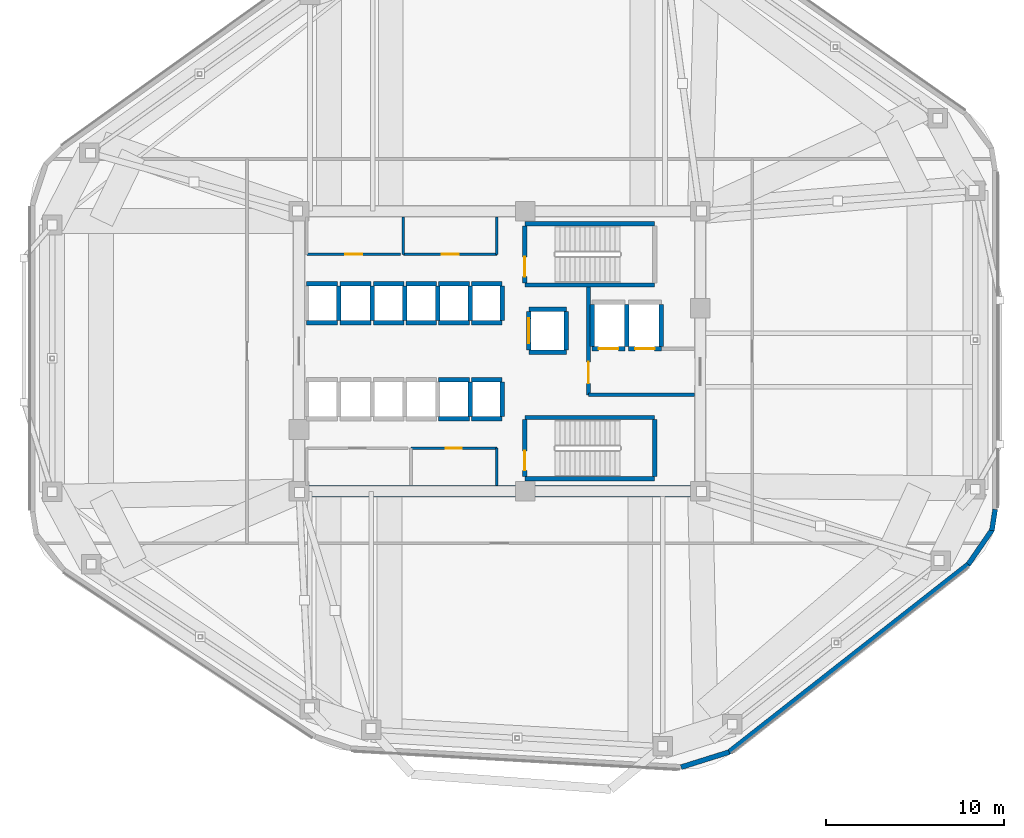
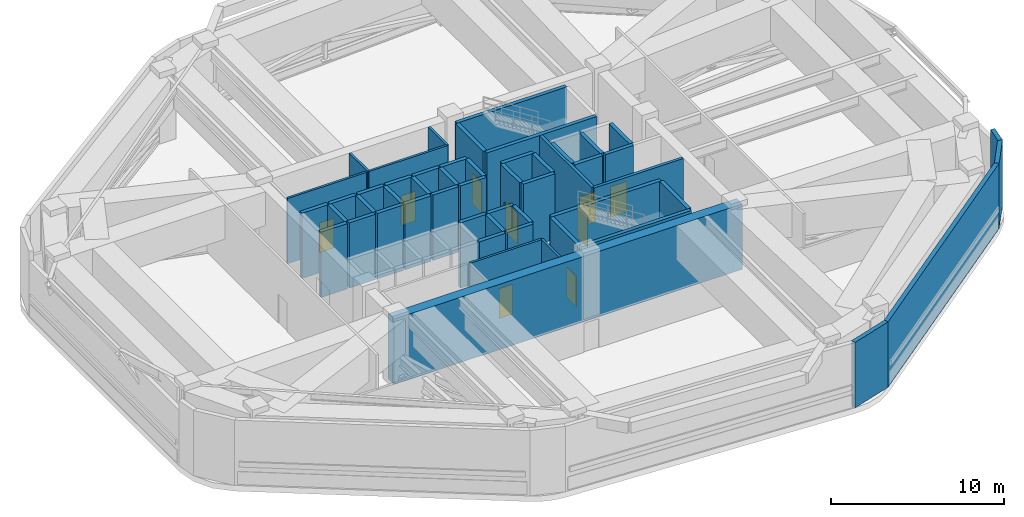
# One storey, part 8 of 12: 53 walls, 9 doors, 9 openings.
"""IFC4 building model written with IfcOpenShell, lengths in metres."""

from ifc_helpers import new_model, si_unit, direction, frame, frame_2d, origin, place, context, subcontext, project, spatial, rectangle, extrude, material, layer, layer_set, type_object, element, fill, save


model = new_model("IFC4")

# Units and contexts
model_context = context("Model", 3, precision=1e-05, world=origin(), true_north=direction((0.0, 1.0)))
body_context = subcontext(model_context, "Body", "Model", "MODEL_VIEW")
ifc_project = project(units=[si_unit("LENGTHUNIT", "METRE"), si_unit("AREAUNIT", "SQUARE_METRE"), si_unit("VOLUMEUNIT", "CUBIC_METRE"), si_unit("PLANEANGLEUNIT", "RADIAN"), si_unit("MASSUNIT", "GRAM", prefix="KILO")], contexts=[model_context])

# Site, building, storey
site_placement = place(None, origin())
site = spatial("IfcSite", under=ifc_project, at=site_placement, CompositionType="ELEMENT")
building_placement = place(site_placement, origin())
building = spatial("IfcBuilding", under=site, at=building_placement, Name="Zulverin Broadcast Headquarters", CompositionType="ELEMENT")
storey_placement = place(building_placement, frame((0.0, 0.0, 120.0)))
storey = spatial("IfcBuildingStorey", under=building, at=storey_placement, Name="L30", CompositionType="ELEMENT", Elevation=120.0)

# Walls
ifc_material_1 = material(Name="Concrete C60/75", Category="concrete")
ifc_layer_1 = layer(ifc_material_1, 0.64990234375, Name="Concrete C60/75", Category="concrete")
ifc_layer_set_1 = layer_set([ifc_layer_1], Name="Concrete C60/75")
wall_type_1 = type_object("IfcWallType", Name="WL-CORE-650", PredefinedType="SHEAR", material=ifc_layer_set_1)
wall_1_placement = place(storey_placement, frame((25.39990234375, 17.324951171875, 0.0), z_axis=(0.0, 0.0, 1.0), x_axis=(1.0, 0.0, 0.0)))
element("IfcWall", 1, at=wall_1_placement, inside=storey, type_object=wall_type_1, Name="L30 Core South Shear Wall", PredefinedType="SHEAR", context=body_context, shape_type="SweptSolid", body=[
    extrude(rectangle(XDim=23.2001953125, YDim=0.64990234375, at=frame_2d((11.60009765625, 0.0))), origin(), (0.0, 0.0, 1.0), 4.60009765625),
])
ifc_material_2 = material(Name="Insulated pale-metal clad concrete spandrel C40/50", Category="concrete")
ifc_layer_2 = layer(ifc_material_2, 0.280029296875, Name="Insulated pale-metal clad concrete spandrel C40/50", Category="concrete")
ifc_layer_set_2 = layer_set([ifc_layer_2], Name="Insulated pale-metal clad concrete spandrel C40/50")
wall_type_2 = type_object("IfcWallType", Name="WL-EXT-280", PredefinedType="STANDARD", material=ifc_layer_set_2)
wall_2_placement = place(storey_placement, frame((49.861083984375, 2.64208984375, 0.0), z_axis=(0.0, 0.0, 1.0), x_axis=(0.786701650025, 0.617333389546, 0.0)))
element("IfcWall", 2, at=wall_2_placement, inside=storey, type_object=wall_type_2, Name="L30 Pale-Metal Clad Spandrel Wall 2", PredefinedType="STANDARD", context=body_context, shape_type="SweptSolid", body=[
    extrude(rectangle(XDim=17.188232421875, YDim=0.280029296875, at=frame_2d((8.59423828125, 0.0))), origin(), (0.0, 0.0, 1.0), 4.60009765625),
])
wall_3_placement = place(storey_placement, frame((47.210693359375, 1.818603515625, 0.0), z_axis=(0.0, 0.0, 1.0), x_axis=(0.953995835848, 0.299819854553, 0.0)))
element("IfcWall", 3, at=wall_3_placement, inside=storey, type_object=wall_type_2, Name="L30 Wind-Shaped Corner Spandrel Wall 1-1", PredefinedType="STANDARD", context=body_context, shape_type="SweptSolid", body=[
    extrude(rectangle(XDim=2.82470703125, YDim=0.280029296875, at=frame_2d((1.412353515625, 0.0))), origin(), (0.0, 0.0, 1.0), 4.60009765625),
])
wall_4_placement = place(storey_placement, frame((63.35400390625, 13.222412109375, 0.0), z_axis=(0.0, 0.0, 1.0), x_axis=(0.567639386418, 0.82327730868, 0.0)))
element("IfcWall", 4, at=wall_4_placement, inside=storey, type_object=wall_type_2, Name="L30 Wind-Shaped Corner Spandrel Wall 2-1", PredefinedType="STANDARD", context=body_context, shape_type="SweptSolid", body=[
    extrude(rectangle(XDim=2.3779296875, YDim=0.280029296875, at=frame_2d((1.18896484375, 0.0))), origin(), (0.0, 0.0, 1.0), 4.60009765625),
])
wall_5_placement = place(storey_placement, frame((64.680908203125, 15.12158203125, 0.0), z_axis=(0.0, 0.0, 1.0), x_axis=(0.150226326126, 0.98865163275, 0.0)))
element("IfcWall", 5, at=wall_5_placement, inside=storey, type_object=wall_type_2, Name="L30 Wind-Shaped Corner Spandrel Wall 2-2", PredefinedType="STANDARD", context=body_context, shape_type="SweptSolid", body=[
    extrude(rectangle(XDim=1.20263671875, YDim=0.280029296875, at=frame_2d((0.601318359375, 0.0))), origin(), (0.0, 0.0, 1.0), 4.60009765625),
])

# Wall, opening, door
ifc_material_3 = material(Name="Concrete C40/50", Category="concrete")
ifc_layer_3 = layer(ifc_material_3, 0.199951171875, Name="Concrete C40/50", Category="concrete")
ifc_layer_set_3 = layer_set([ifc_layer_3], Name="Concrete C40/50")
wall_type_3 = type_object("IfcWallType", Name="WL-FFL-200", PredefinedType="SOLIDWALL", material=ifc_layer_set_3)
wall_6_placement = place(storey_placement, frame((42.0, 22.75, 0.0), z_axis=(0.0, 0.0, 1.0), x_axis=(0.0, 1.0, 0.0)))
wall_6 = element("IfcWall", 6, at=wall_6_placement, inside=storey, type_object=wall_type_3, Name="L30 Firefighting Lift Lobby West Wall", PredefinedType="SOLIDWALL", context=body_context, shape_type="SweptSolid", body=[
    extrude(rectangle(XDim=6.050048828125, YDim=0.199951171875, at=frame_2d((3.02490234375, 0.0))), origin(), (0.0, 0.0, 1.0), 4.60009765625),
])
opening_1_placement = place(wall_6_placement, frame((0.64990234375, 0.0, 0.0)))
opening_1 = element("IfcOpeningElement", 7, at=opening_1_placement, cuts=wall_6, Name="Opening D-L30-FFLW", PredefinedType="OPENING", context=body_context, shape_type="SweptSolid", body=[
    extrude(rectangle(XDim=1.199951171875, YDim=2.14990234375, at=frame_2d((0.60009765625, 1.074951171875))), frame((0.0, 0.10986328125, 0.0), z_axis=(0.0, -1.0, 0.0), x_axis=(1.0, 0.0, 0.0)), (0.0, 0.0, 1.0), 0.219970703125),
])
ifc_material_4 = material(Name="Fire-rated steel leaf and frame", Category="steel")
door_type_1 = type_object("IfcDoorType", Name="DR-FFL-1200", OperationType="SINGLE_SWING_RIGHT", PredefinedType="DOOR", material=ifc_material_4)
door_1_placement = place(opening_1_placement, origin())
door_1 = element("IfcDoor", 8, at=door_1_placement, inside=storey, type_object=door_type_1, Name="L30 Firefighting Lift Lobby Door", OperationType="SINGLE_SWING_RIGHT", OverallHeight=2.14990234375, OverallWidth=1.199951171875, PredefinedType="DOOR", context=body_context, shape_type="SweptSolid", body=[
    extrude(rectangle(XDim=1.199951171875, YDim=2.14990234375, at=frame_2d((0.60009765625, 1.074951171875))), frame((0.0, 0.02490234375, 0.0), z_axis=(0.0, -1.0, 0.0), x_axis=(1.0, 0.0, 0.0)), (0.0, 0.0, 1.0), 0.050048828125),
])
fill(opening_1, door_1)

# Wall
wall_7_placement = place(storey_placement, frame((42.0, 22.75, 0.0), z_axis=(0.0, 0.0, 1.0), x_axis=(1.0, 0.0, 0.0)))
element("IfcWall", 9, at=wall_7_placement, inside=storey, type_object=wall_type_3, Name="L30 Firefighting Lift Lobby South Wall", PredefinedType="SOLIDWALL", context=body_context, shape_type="SweptSolid", body=[
    extrude(rectangle(XDim=5.949951171875, YDim=0.199951171875, at=frame_2d((2.97509765625, 0.0))), origin(), (0.0, 0.0, 1.0), 4.60009765625),
])

# Wall, opening, door
ifc_material_5 = material(Name="Fire-rated gypsum stud partition", Category="gypsum")
ifc_layer_4 = layer(ifc_material_5, 0.14990234375, Name="Fire-rated gypsum stud partition", Category="gypsum")
ifc_layer_set_4 = layer_set([ifc_layer_4], Name="Fire-rated gypsum stud partition")
wall_type_4 = type_object("IfcWallType", Name="WL-PART-150", PredefinedType="PARTITIONING", material=ifc_layer_set_4)
wall_8_placement = place(storey_placement, frame((26.169921875, 30.64990234375, 0.0), z_axis=(0.0, 0.0, 1.0), x_axis=(1.0, 0.0, 0.0)))
wall_8 = element("IfcWall", 10, at=wall_8_placement, inside=storey, type_object=wall_type_4, Name="L30 Core Male WC Front Wall", PredefinedType="PARTITIONING", context=body_context, shape_type="SweptSolid", body=[
    extrude(rectangle(XDim=5.260009765625, YDim=0.14990234375, at=frame_2d((2.6298828125, 0.0))), origin(), (0.0, 0.0, 1.0), 4.60009765625),
])
opening_2_placement = place(wall_8_placement, frame((2.155029296875, 0.0, 0.0)))
opening_2 = element("IfcOpeningElement", 11, at=opening_2_placement, cuts=wall_8, Name="Opening D-L30-NC1", PredefinedType="OPENING", context=body_context, shape_type="SweptSolid", body=[
    extrude(rectangle(XDim=0.949951171875, YDim=2.10009765625, at=frame_2d((0.47509765625, 1.050048828125))), frame((0.0, 0.0849609375, 0.0), z_axis=(0.0, -1.0, 0.0), x_axis=(1.0, 0.0, 0.0)), (0.0, 0.0, 1.0), 0.169921875),
])
ifc_material_6 = material(Name="Fire-rated moisture-resistant laminate leaf", Category="wood")
door_type_2 = type_object("IfcDoorType", Name="DR-WC-950", OperationType="SINGLE_SWING_LEFT", PredefinedType="DOOR", material=ifc_material_6)
door_2_placement = place(opening_2_placement, origin())
door_2 = element("IfcDoor", 12, at=door_2_placement, inside=storey, type_object=door_type_2, Name="L30 Male WC Door", OperationType="SINGLE_SWING_LEFT", OverallHeight=2.10009765625, OverallWidth=0.949951171875, PredefinedType="DOOR", context=body_context, shape_type="SweptSolid", body=[
    extrude(rectangle(XDim=0.949951171875, YDim=2.10009765625, at=frame_2d((0.47509765625, 1.050048828125))), frame((0.0, 0.02490234375, 0.0), z_axis=(0.0, -1.0, 0.0), x_axis=(1.0, 0.0, 0.0)), (0.0, 0.0, 1.0), 0.050048828125),
])
fill(opening_2, door_2)

wall_9_placement = place(storey_placement, frame((31.590087890625, 30.64990234375, 0.0), z_axis=(0.0, 0.0, 1.0), x_axis=(1.0, 0.0, 0.0)))
wall_9 = element("IfcWall", 13, at=wall_9_placement, inside=storey, type_object=wall_type_4, Name="L30 Core Accessible WC Front Wall", PredefinedType="PARTITIONING", context=body_context, shape_type="SweptSolid", body=[
    extrude(rectangle(XDim=5.260009765625, YDim=0.14990234375, at=frame_2d((2.6298828125, 0.0))), origin(), (0.0, 0.0, 1.0), 4.60009765625),
])
opening_3_placement = place(wall_9_placement, frame((2.155029296875, 0.0, 0.0)))
opening_3 = element("IfcOpeningElement", 14, at=opening_3_placement, cuts=wall_9, Name="Opening D-L30-NC2", PredefinedType="OPENING", context=body_context, shape_type="SweptSolid", body=[
    extrude(rectangle(XDim=0.949951171875, YDim=2.10009765625, at=frame_2d((0.47509765625, 1.050048828125))), frame((0.0, 0.0849609375, 0.0), z_axis=(0.0, -1.0, 0.0), x_axis=(1.0, 0.0, 0.0)), (0.0, 0.0, 1.0), 0.169921875),
])
door_3_placement = place(opening_3_placement, origin())
door_3 = element("IfcDoor", 15, at=door_3_placement, inside=storey, type_object=door_type_2, Name="L30 Accessible WC Door", OperationType="SINGLE_SWING_RIGHT", OverallHeight=2.10009765625, OverallWidth=0.949951171875, PredefinedType="DOOR", context=body_context, shape_type="SweptSolid", body=[
    extrude(rectangle(XDim=0.949951171875, YDim=2.10009765625, at=frame_2d((0.47509765625, 1.050048828125))), frame((0.0, 0.02490234375, 0.0), z_axis=(0.0, -1.0, 0.0), x_axis=(1.0, 0.0, 0.0)), (0.0, 0.0, 1.0), 0.050048828125),
])
fill(opening_3, door_3)

# Walls
for number, where, z_axis, x_axis, name in (
    (16, (31.590087890625, 30.64990234375, 0.0), (0.0, 0.0, 1.0), (0.0, 1.0, 0.0), "L30 Core Accessible WC West Wall"),
    (17, (36.85009765625, 30.64990234375, 0.0), (0.0, 0.0, 1.0), (0.0, 1.0, 0.0), "L30 Core Accessible WC East Wall"),
):
    element("IfcWall", number, at=place(storey_placement, frame(where, z_axis=z_axis, x_axis=x_axis)), inside=storey, type_object=wall_type_4, Name=name, PredefinedType="PARTITIONING", context=body_context, shape_type="SweptSolid", body=[
        extrude(rectangle(XDim=2.10009765625, YDim=0.14990234375, at=frame_2d((1.050048828125, 0.0))), origin(), (0.0, 0.0, 1.0), 4.60009765625),
    ])

# Wall, opening, door
wall_10_placement = place(storey_placement, frame((32.02001953125, 19.75, 0.0), z_axis=(0.0, 0.0, 1.0), x_axis=(1.0, 0.0, 0.0)))
wall_10 = element("IfcWall", 18, at=wall_10_placement, inside=storey, type_object=wall_type_4, Name="L30 Core Cleaner Store & Telecoms Riser Front Wall", PredefinedType="PARTITIONING", context=body_context, shape_type="SweptSolid", body=[
    extrude(rectangle(XDim=4.830078125, YDim=0.14990234375, at=frame_2d((2.4150390625, 0.0))), origin(), (0.0, 0.0, 1.0), 4.60009765625),
])
opening_4_placement = place(wall_10_placement, frame((1.965087890625, 0.0, 0.0)))
opening_4 = element("IfcOpeningElement", 19, at=opening_4_placement, cuts=wall_10, Name="Opening D-L30-SC2", PredefinedType="OPENING", context=body_context, shape_type="SweptSolid", body=[
    extrude(rectangle(XDim=0.89990234375, YDim=2.10009765625, at=frame_2d((0.449951171875, 1.050048828125))), frame((0.0, 0.0849609375, 0.0), z_axis=(0.0, -1.0, 0.0), x_axis=(1.0, 0.0, 0.0)), (0.0, 0.0, 1.0), 0.169921875),
])
ifc_material_7 = material(Name="Powder-coated steel access leaf", Category="steel")
door_type_3 = type_object("IfcDoorType", Name="DR-RISER-900", OperationType="SINGLE_SWING_LEFT", PredefinedType="DOOR", material=ifc_material_7)
door_4_placement = place(opening_4_placement, origin())
door_4 = element("IfcDoor", 20, at=door_4_placement, inside=storey, type_object=door_type_3, Name="L30 Cleaner Store & Telecoms Riser Door", OperationType="SINGLE_SWING_RIGHT", OverallHeight=2.10009765625, OverallWidth=0.89990234375, PredefinedType="DOOR", context=body_context, shape_type="SweptSolid", body=[
    extrude(rectangle(XDim=0.89990234375, YDim=2.10009765625, at=frame_2d((0.449951171875, 1.050048828125))), frame((0.0, 0.02490234375, 0.0), z_axis=(0.0, -1.0, 0.0), x_axis=(1.0, 0.0, 0.0)), (0.0, 0.0, 1.0), 0.050048828125),
])
fill(opening_4, door_4)

# Walls
wall_11_placement = place(storey_placement, frame((36.85009765625, 17.64990234375, 0.0), z_axis=(0.0, 0.0, 1.0), x_axis=(0.0, 1.0, 0.0)))
element("IfcWall", 21, at=wall_11_placement, inside=storey, type_object=wall_type_4, Name="L30 Core Cleaner Store & Telecoms Riser East Wall", PredefinedType="PARTITIONING", context=body_context, shape_type="SweptSolid", body=[
    extrude(rectangle(XDim=2.10009765625, YDim=0.14990234375, at=frame_2d((1.050048828125, 0.0))), origin(), (0.0, 0.0, 1.0), 4.60009765625),
])
ifc_material_8 = material(Name="Concrete C50/60", Category="concrete")
ifc_layer_5 = layer(ifc_material_8, 0.25, Name="Concrete C50/60", Category="concrete")
ifc_layer_set_5 = layer_set([ifc_layer_5], Name="Concrete C50/60")
wall_type_5 = type_object("IfcWallType", Name="WL-SHAFT-250", PredefinedType="SHEAR", material=ifc_layer_set_5)
for number, where, z_axis, x_axis, name in (
    (22, (38.425048828125, 28.925048828125, 0.0), (0.0, 0.0, 1.0), (1.0, 0.0, 0.0), "L30 ST-1 Enclosure Wall S"),
    (23, (38.425048828125, 32.375, 0.0), (0.0, 0.0, 1.0), (1.0, 0.0, 0.0), "L30 ST-1 Enclosure Wall N"),
):
    element("IfcWall", number, at=place(storey_placement, frame(where, z_axis=z_axis, x_axis=x_axis)), inside=storey, type_object=wall_type_5, Name=name, PredefinedType="SHEAR", context=body_context, shape_type="SweptSolid", body=[
        extrude(rectangle(XDim=7.300048828125, YDim=0.25, at=frame_2d((3.64990234375, 0.0))), origin(), (0.0, 0.0, 1.0), 4.60009765625),
    ])

# Wall, opening, door
wall_12_placement = place(storey_placement, frame((38.425048828125, 29.050048828125, 0.0), z_axis=(0.0, 0.0, 1.0), x_axis=(0.0, 1.0, 0.0)))
wall_12 = element("IfcWall", 24, at=wall_12_placement, inside=storey, type_object=wall_type_5, Name="L30 ST-1 Enclosure Wall W", PredefinedType="SHEAR", context=body_context, shape_type="SweptSolid", body=[
    extrude(rectangle(XDim=3.199951171875, YDim=0.25, at=frame_2d((1.60009765625, 0.0))), origin(), (0.0, 0.0, 1.0), 4.60009765625),
])
opening_5_placement = place(wall_12_placement, frame((0.35009765625, 0.0, 0.0)))
opening_5 = element("IfcOpeningElement", 25, at=opening_5_placement, cuts=wall_12, Name="Opening D-L30-ST-1", PredefinedType="OPENING", context=body_context, shape_type="SweptSolid", body=[
    extrude(rectangle(XDim=1.10009765625, YDim=2.14990234375, at=frame_2d((0.550048828125, 1.074951171875))), frame((0.0, 0.135009765625, 0.0), z_axis=(0.0, -1.0, 0.0), x_axis=(1.0, 0.0, 0.0)), (0.0, 0.0, 1.0), 0.27001953125),
])
door_type_4 = type_object("IfcDoorType", Name="DR-STAIR-1100", OperationType="SINGLE_SWING_LEFT", PredefinedType="DOOR", material=ifc_material_4)
door_5_placement = place(opening_5_placement, origin())
door_5 = element("IfcDoor", 26, at=door_5_placement, inside=storey, type_object=door_type_4, Name="L30 Exit Stair ST-1 Fire Door", OperationType="SINGLE_SWING_LEFT", OverallHeight=2.14990234375, OverallWidth=1.10009765625, PredefinedType="DOOR", context=body_context, shape_type="SweptSolid", body=[
    extrude(rectangle(XDim=1.10009765625, YDim=2.14990234375, at=frame_2d((0.550048828125, 1.074951171875))), frame((0.0, 0.02490234375, 0.0), z_axis=(0.0, -1.0, 0.0), x_axis=(1.0, 0.0, 0.0)), (0.0, 0.0, 1.0), 0.050048828125),
])
fill(opening_5, door_5)

# Walls
for number, where, z_axis, x_axis, name in (
    (27, (38.425048828125, 18.02490234375, 0.0), (0.0, 0.0, 1.0), (1.0, 0.0, 0.0), "L30 ST-2 Enclosure Wall S"),
    (28, (38.425048828125, 21.47509765625, 0.0), (0.0, 0.0, 1.0), (1.0, 0.0, 0.0), "L30 ST-2 Enclosure Wall N"),
):
    element("IfcWall", number, at=place(storey_placement, frame(where, z_axis=z_axis, x_axis=x_axis)), inside=storey, type_object=wall_type_5, Name=name, PredefinedType="SHEAR", context=body_context, shape_type="SweptSolid", body=[
        extrude(rectangle(XDim=7.300048828125, YDim=0.25, at=frame_2d((3.64990234375, 0.0))), origin(), (0.0, 0.0, 1.0), 4.60009765625),
    ])

# Wall, opening, door
wall_13_placement = place(storey_placement, frame((38.425048828125, 18.14990234375, 0.0), z_axis=(0.0, 0.0, 1.0), x_axis=(0.0, 1.0, 0.0)))
wall_13 = element("IfcWall", 29, at=wall_13_placement, inside=storey, type_object=wall_type_5, Name="L30 ST-2 Enclosure Wall W", PredefinedType="SHEAR", context=body_context, shape_type="SweptSolid", body=[
    extrude(rectangle(XDim=3.2001953125, YDim=0.25, at=frame_2d((1.60009765625, 0.0))), origin(), (0.0, 0.0, 1.0), 4.60009765625),
])
opening_6_placement = place(wall_13_placement, frame((0.35009765625, 0.0, 0.0)))
opening_6 = element("IfcOpeningElement", 30, at=opening_6_placement, cuts=wall_13, Name="Opening D-L30-ST-2", PredefinedType="OPENING", context=body_context, shape_type="SweptSolid", body=[
    extrude(rectangle(XDim=1.10009765625, YDim=2.14990234375, at=frame_2d((0.550048828125, 1.074951171875))), frame((0.0, 0.135009765625, 0.0), z_axis=(0.0, -1.0, 0.0), x_axis=(1.0, 0.0, 0.0)), (0.0, 0.0, 1.0), 0.27001953125),
])
door_6_placement = place(opening_6_placement, origin())
door_6 = element("IfcDoor", 31, at=door_6_placement, inside=storey, type_object=door_type_4, Name="L30 Exit Stair ST-2 Fire Door", OperationType="SINGLE_SWING_RIGHT", OverallHeight=2.14990234375, OverallWidth=1.10009765625, PredefinedType="DOOR", context=body_context, shape_type="SweptSolid", body=[
    extrude(rectangle(XDim=1.10009765625, YDim=2.14990234375, at=frame_2d((0.550048828125, 1.074951171875))), frame((0.0, 0.02490234375, 0.0), z_axis=(0.0, -1.0, 0.0), x_axis=(1.0, 0.0, 0.0)), (0.0, 0.0, 1.0), 0.050048828125),
])
fill(opening_6, door_6)

# Walls
wall_14_placement = place(storey_placement, frame((45.72509765625, 18.14990234375, 0.0), z_axis=(0.0, 0.0, 1.0), x_axis=(0.0, 1.0, 0.0)))
element("IfcWall", 32, at=wall_14_placement, inside=storey, type_object=wall_type_5, Name="L30 ST-2 Enclosure Wall E", PredefinedType="SHEAR", context=body_context, shape_type="SweptSolid", body=[
    extrude(rectangle(XDim=3.2001953125, YDim=0.25, at=frame_2d((1.60009765625, 0.0))), origin(), (0.0, 0.0, 1.0), 4.60009765625),
])
for number, where, z_axis, x_axis, name in (
    (33, (26.14990234375, 26.800048828125, 0.0), (0.0, 0.0, 1.0), (1.0, 0.0, 0.0), "L30 Lift PL-L1 Shaft Wall S"),
    (34, (26.14990234375, 29.0, 0.0), (0.0, 0.0, 1.0), (1.0, 0.0, 0.0), "L30 Lift PL-L1 Shaft Wall N"),
):
    element("IfcWall", number, at=place(storey_placement, frame(where, z_axis=z_axis, x_axis=x_axis)), inside=storey, type_object=wall_type_5, Name=name, PredefinedType="SHEAR", context=body_context, shape_type="SweptSolid", body=[
        extrude(rectangle(XDim=1.75, YDim=0.25, at=frame_2d((0.875, 0.0))), origin(), (0.0, 0.0, 1.0), 4.60009765625),
    ])
wall_15_placement = place(storey_placement, frame((27.9599609375, 26.919921875, 0.0), z_axis=(0.0, 0.0, 1.0), x_axis=(0.0, 1.0, 0.0)))
element("IfcWall", 35, at=wall_15_placement, inside=storey, type_object=wall_type_5, Name="L30 Lift PL-L1 Shaft Wall E", PredefinedType="SHEAR", context=body_context, shape_type="SweptSolid", body=[
    extrude(rectangle(XDim=1.9599609375, YDim=0.25, at=frame_2d((0.97998046875, 0.0))), origin(), (0.0, 0.0, 1.0), 4.60009765625),
])
for number, where, z_axis, x_axis, name in (
    (36, (28.02001953125, 26.800048828125, 0.0), (0.0, 0.0, 1.0), (1.0, 0.0, 0.0), "L30 Lift PL-L2 Shaft Wall S"),
    (37, (28.02001953125, 29.0, 0.0), (0.0, 0.0, 1.0), (1.0, 0.0, 0.0), "L30 Lift PL-L2 Shaft Wall N"),
):
    element("IfcWall", number, at=place(storey_placement, frame(where, z_axis=z_axis, x_axis=x_axis)), inside=storey, type_object=wall_type_5, Name=name, PredefinedType="SHEAR", context=body_context, shape_type="SweptSolid", body=[
        extrude(rectangle(XDim=1.75, YDim=0.25, at=frame_2d((0.875, 0.0))), origin(), (0.0, 0.0, 1.0), 4.60009765625),
    ])
wall_16_placement = place(storey_placement, frame((29.8349609375, 26.919921875, 0.0), z_axis=(0.0, 0.0, 1.0), x_axis=(0.0, 1.0, 0.0)))
element("IfcWall", 38, at=wall_16_placement, inside=storey, type_object=wall_type_5, Name="L30 Lift PL-L2 Shaft Wall E", PredefinedType="SHEAR", context=body_context, shape_type="SweptSolid", body=[
    extrude(rectangle(XDim=1.9599609375, YDim=0.25, at=frame_2d((0.97998046875, 0.0))), origin(), (0.0, 0.0, 1.0), 4.60009765625),
])
for number, where, z_axis, x_axis, name in (
    (39, (33.580078125, 21.39990234375, 0.0), (0.0, 0.0, 1.0), (1.0, 0.0, 0.0), "L30 Lift PL-M3 Shaft Wall S"),
    (40, (33.580078125, 23.60009765625, 0.0), (0.0, 0.0, 1.0), (1.0, 0.0, 0.0), "L30 Lift PL-M3 Shaft Wall N"),
):
    element("IfcWall", number, at=place(storey_placement, frame(where, z_axis=z_axis, x_axis=x_axis)), inside=storey, type_object=wall_type_5, Name=name, PredefinedType="SHEAR", context=body_context, shape_type="SweptSolid", body=[
        extrude(rectangle(XDim=1.719970703125, YDim=0.25, at=frame_2d((0.85986328125, 0.0))), origin(), (0.0, 0.0, 1.0), 4.60009765625),
    ])
wall_17_placement = place(storey_placement, frame((35.360107421875, 21.52001953125, 0.0), z_axis=(0.0, 0.0, 1.0), x_axis=(0.0, 1.0, 0.0)))
element("IfcWall", 41, at=wall_17_placement, inside=storey, type_object=wall_type_5, Name="L30 Lift PL-M3 Shaft Wall E", PredefinedType="SHEAR", context=body_context, shape_type="SweptSolid", body=[
    extrude(rectangle(XDim=1.9599609375, YDim=0.25, at=frame_2d((0.97998046875, 0.0))), origin(), (0.0, 0.0, 1.0), 4.60009765625),
])
for number, where, z_axis, x_axis, name in (
    (42, (35.419921875, 21.39990234375, 0.0), (0.0, 0.0, 1.0), (1.0, 0.0, 0.0), "L30 Lift PL-M4 Shaft Wall S"),
    (43, (35.419921875, 23.60009765625, 0.0), (0.0, 0.0, 1.0), (1.0, 0.0, 0.0), "L30 Lift PL-M4 Shaft Wall N"),
):
    element("IfcWall", number, at=place(storey_placement, frame(where, z_axis=z_axis, x_axis=x_axis)), inside=storey, type_object=wall_type_5, Name=name, PredefinedType="SHEAR", context=body_context, shape_type="SweptSolid", body=[
        extrude(rectangle(XDim=1.719970703125, YDim=0.25, at=frame_2d((0.85986328125, 0.0))), origin(), (0.0, 0.0, 1.0), 4.60009765625),
    ])
wall_18_placement = place(storey_placement, frame((37.139892578125, 21.52001953125, 0.0), z_axis=(0.0, 0.0, 1.0), x_axis=(0.0, 1.0, 0.0)))
element("IfcWall", 44, at=wall_18_placement, inside=storey, type_object=wall_type_5, Name="L30 Lift PL-M4 Shaft Wall E", PredefinedType="SHEAR", context=body_context, shape_type="SweptSolid", body=[
    extrude(rectangle(XDim=1.9599609375, YDim=0.25, at=frame_2d((0.97998046875, 0.0))), origin(), (0.0, 0.0, 1.0), 4.60009765625),
])
for number, where, z_axis, x_axis, name in (
    (45, (29.89990234375, 26.800048828125, 0.0), (0.0, 0.0, 1.0), (1.0, 0.0, 0.0), "L30 Lift PL-H1 Shaft Wall S"),
    (46, (29.89990234375, 29.0, 0.0), (0.0, 0.0, 1.0), (1.0, 0.0, 0.0), "L30 Lift PL-H1 Shaft Wall N"),
):
    element("IfcWall", number, at=place(storey_placement, frame(where, z_axis=z_axis, x_axis=x_axis)), inside=storey, type_object=wall_type_5, Name=name, PredefinedType="SHEAR", context=body_context, shape_type="SweptSolid", body=[
        extrude(rectangle(XDim=1.72021484375, YDim=0.25, at=frame_2d((0.860107421875, 0.0))), origin(), (0.0, 0.0, 1.0), 4.60009765625),
    ])
wall_19_placement = place(storey_placement, frame((31.679931640625, 26.919921875, 0.0), z_axis=(0.0, 0.0, 1.0), x_axis=(0.0, 1.0, 0.0)))
element("IfcWall", 47, at=wall_19_placement, inside=storey, type_object=wall_type_5, Name="L30 Lift PL-H1 Shaft Wall E", PredefinedType="SHEAR", context=body_context, shape_type="SweptSolid", body=[
    extrude(rectangle(XDim=1.9599609375, YDim=0.25, at=frame_2d((0.97998046875, 0.0))), origin(), (0.0, 0.0, 1.0), 4.60009765625),
])
for number, where, z_axis, x_axis, name in (
    (48, (31.739990234375, 26.800048828125, 0.0), (0.0, 0.0, 1.0), (1.0, 0.0, 0.0), "L30 Lift PL-H2 Shaft Wall S"),
    (49, (31.739990234375, 29.0, 0.0), (0.0, 0.0, 1.0), (1.0, 0.0, 0.0), "L30 Lift PL-H2 Shaft Wall N"),
):
    element("IfcWall", number, at=place(storey_placement, frame(where, z_axis=z_axis, x_axis=x_axis)), inside=storey, type_object=wall_type_5, Name=name, PredefinedType="SHEAR", context=body_context, shape_type="SweptSolid", body=[
        extrude(rectangle(XDim=1.719970703125, YDim=0.25, at=frame_2d((0.85986328125, 0.0))), origin(), (0.0, 0.0, 1.0), 4.60009765625),
    ])
wall_20_placement = place(storey_placement, frame((33.52001953125, 26.919921875, 0.0), z_axis=(0.0, 0.0, 1.0), x_axis=(0.0, 1.0, 0.0)))
element("IfcWall", 50, at=wall_20_placement, inside=storey, type_object=wall_type_5, Name="L30 Lift PL-H2 Shaft Wall E", PredefinedType="SHEAR", context=body_context, shape_type="SweptSolid", body=[
    extrude(rectangle(XDim=1.9599609375, YDim=0.25, at=frame_2d((0.97998046875, 0.0))), origin(), (0.0, 0.0, 1.0), 4.60009765625),
])
for number, where, z_axis, x_axis, name in (
    (51, (33.580078125, 26.800048828125, 0.0), (0.0, 0.0, 1.0), (1.0, 0.0, 0.0), "L30 Lift PL-H3 Shaft Wall S"),
    (52, (33.580078125, 29.0, 0.0), (0.0, 0.0, 1.0), (1.0, 0.0, 0.0), "L30 Lift PL-H3 Shaft Wall N"),
):
    element("IfcWall", number, at=place(storey_placement, frame(where, z_axis=z_axis, x_axis=x_axis)), inside=storey, type_object=wall_type_5, Name=name, PredefinedType="SHEAR", context=body_context, shape_type="SweptSolid", body=[
        extrude(rectangle(XDim=1.719970703125, YDim=0.25, at=frame_2d((0.85986328125, 0.0))), origin(), (0.0, 0.0, 1.0), 4.60009765625),
    ])
wall_21_placement = place(storey_placement, frame((35.360107421875, 26.919921875, 0.0), z_axis=(0.0, 0.0, 1.0), x_axis=(0.0, 1.0, 0.0)))
element("IfcWall", 53, at=wall_21_placement, inside=storey, type_object=wall_type_5, Name="L30 Lift PL-H3 Shaft Wall E", PredefinedType="SHEAR", context=body_context, shape_type="SweptSolid", body=[
    extrude(rectangle(XDim=1.9599609375, YDim=0.25, at=frame_2d((0.97998046875, 0.0))), origin(), (0.0, 0.0, 1.0), 4.60009765625),
])
for number, where, z_axis, x_axis, name in (
    (54, (35.419921875, 26.800048828125, 0.0), (0.0, 0.0, 1.0), (1.0, 0.0, 0.0), "L30 Lift PL-H4 Shaft Wall S"),
    (55, (35.419921875, 29.0, 0.0), (0.0, 0.0, 1.0), (1.0, 0.0, 0.0), "L30 Lift PL-H4 Shaft Wall N"),
):
    element("IfcWall", number, at=place(storey_placement, frame(where, z_axis=z_axis, x_axis=x_axis)), inside=storey, type_object=wall_type_5, Name=name, PredefinedType="SHEAR", context=body_context, shape_type="SweptSolid", body=[
        extrude(rectangle(XDim=1.719970703125, YDim=0.25, at=frame_2d((0.85986328125, 0.0))), origin(), (0.0, 0.0, 1.0), 4.60009765625),
    ])
wall_22_placement = place(storey_placement, frame((37.139892578125, 26.919921875, 0.0), z_axis=(0.0, 0.0, 1.0), x_axis=(0.0, 1.0, 0.0)))
element("IfcWall", 56, at=wall_22_placement, inside=storey, type_object=wall_type_5, Name="L30 Lift PL-H4 Shaft Wall E", PredefinedType="SHEAR", context=body_context, shape_type="SweptSolid", body=[
    extrude(rectangle(XDim=1.9599609375, YDim=0.25, at=frame_2d((0.97998046875, 0.0))), origin(), (0.0, 0.0, 1.0), 4.60009765625),
])

# Wall, opening, door
wall_23_placement = place(storey_placement, frame((42.199951171875, 25.35009765625, 0.0), z_axis=(0.0, 0.0, 1.0), x_axis=(1.0, 0.0, 0.0)))
wall_23 = element("IfcWall", 57, at=wall_23_placement, inside=storey, type_object=wall_type_5, Name="L30 Lift FFL-1 Shaft Wall S", PredefinedType="SHEAR", context=body_context, shape_type="SweptSolid", body=[
    extrude(rectangle(XDim=1.85009765625, YDim=0.25, at=frame_2d((0.925048828125, 0.0))), origin(), (0.0, 0.0, 1.0), 4.60009765625),
])
opening_7_placement = place(wall_23_placement, frame((0.375, 0.0, 0.0)))
opening_7 = element("IfcOpeningElement", 58, at=opening_7_placement, cuts=wall_23, Name="Opening LD-FFL-1-L30", PredefinedType="OPENING", context=body_context, shape_type="SweptSolid", body=[
    extrude(rectangle(XDim=1.10009765625, YDim=2.14990234375, at=frame_2d((0.550048828125, 1.074951171875))), frame((0.0, 0.135009765625, 0.0), z_axis=(0.0, -1.0, 0.0), x_axis=(1.0, 0.0, 0.0)), (0.0, 0.0, 1.0), 0.27001953125),
])
ifc_material_9 = material(Name="Fire-rated stainless landing door", Category="steel")
door_type_5 = type_object("IfcDoorType", Name="LD-FFL-1100", OperationType="DOUBLE_DOOR_SLIDING", PredefinedType="DOOR", material=ifc_material_9)
door_7_placement = place(opening_7_placement, origin())
door_7 = element("IfcDoor", 59, at=door_7_placement, inside=storey, type_object=door_type_5, Name="L30 Lift FFL-1 Sliding Landing Door", OperationType="DOUBLE_DOOR_SLIDING", OverallHeight=2.14990234375, OverallWidth=1.10009765625, PredefinedType="DOOR", context=body_context, shape_type="SweptSolid", body=[
    extrude(rectangle(XDim=1.10009765625, YDim=2.14990234375, at=frame_2d((0.550048828125, 1.074951171875))), frame((0.0, 0.02490234375, 0.0), z_axis=(0.0, -1.0, 0.0), x_axis=(1.0, 0.0, 0.0)), (0.0, 0.0, 1.0), 0.050048828125),
])
fill(opening_7, door_7)

# Walls
for number, where, z_axis, x_axis, name in (
    (60, (42.199951171875, 25.469970703125, 0.0), (0.0, 0.0, 1.0), (0.0, 1.0, 0.0), "L30 Lift FFL-1 Shaft Wall W"),
    (61, (44.14990234375, 25.469970703125, 0.0), (0.0, 0.0, 1.0), (0.0, 1.0, 0.0), "L30 Lift FFL-1 Shaft Wall E"),
):
    element("IfcWall", number, at=place(storey_placement, frame(where, z_axis=z_axis, x_axis=x_axis)), inside=storey, type_object=wall_type_5, Name=name, PredefinedType="SHEAR", context=body_context, shape_type="SweptSolid", body=[
        extrude(rectangle(XDim=2.360107421875, YDim=0.25, at=frame_2d((1.18017578125, 0.0))), origin(), (0.0, 0.0, 1.0), 4.60009765625),
    ])

# Wall, opening, door
wall_24_placement = place(storey_placement, frame((44.25, 25.35009765625, 0.0), z_axis=(0.0, 0.0, 1.0), x_axis=(1.0, 0.0, 0.0)))
wall_24 = element("IfcWall", 62, at=wall_24_placement, inside=storey, type_object=wall_type_5, Name="L30 Lift FFL-2 Shaft Wall S", PredefinedType="SHEAR", context=body_context, shape_type="SweptSolid", body=[
    extrude(rectangle(XDim=1.85009765625, YDim=0.25, at=frame_2d((0.925048828125, 0.0))), origin(), (0.0, 0.0, 1.0), 4.60009765625),
])
opening_8_placement = place(wall_24_placement, frame((0.375, 0.0, 0.0)))
opening_8 = element("IfcOpeningElement", 63, at=opening_8_placement, cuts=wall_24, Name="Opening LD-FFL-2-L30", PredefinedType="OPENING", context=body_context, shape_type="SweptSolid", body=[
    extrude(rectangle(XDim=1.10009765625, YDim=2.14990234375, at=frame_2d((0.550048828125, 1.074951171875))), frame((0.0, 0.135009765625, 0.0), z_axis=(0.0, -1.0, 0.0), x_axis=(1.0, 0.0, 0.0)), (0.0, 0.0, 1.0), 0.27001953125),
])
door_8_placement = place(opening_8_placement, origin())
door_8 = element("IfcDoor", 64, at=door_8_placement, inside=storey, type_object=door_type_5, Name="L30 Lift FFL-2 Sliding Landing Door", OperationType="DOUBLE_DOOR_SLIDING", OverallHeight=2.14990234375, OverallWidth=1.10009765625, PredefinedType="DOOR", context=body_context, shape_type="SweptSolid", body=[
    extrude(rectangle(XDim=1.10009765625, YDim=2.14990234375, at=frame_2d((0.550048828125, 1.074951171875))), frame((0.0, 0.02490234375, 0.0), z_axis=(0.0, -1.0, 0.0), x_axis=(1.0, 0.0, 0.0)), (0.0, 0.0, 1.0), 0.050048828125),
])
fill(opening_8, door_8)

# Walls
wall_25_placement = place(storey_placement, frame((46.10009765625, 25.469970703125, 0.0), z_axis=(0.0, 0.0, 1.0), x_axis=(0.0, 1.0, 0.0)))
element("IfcWall", 65, at=wall_25_placement, inside=storey, type_object=wall_type_5, Name="L30 Lift FFL-2 Shaft Wall E", PredefinedType="SHEAR", context=body_context, shape_type="SweptSolid", body=[
    extrude(rectangle(XDim=2.360107421875, YDim=0.25, at=frame_2d((1.18017578125, 0.0))), origin(), (0.0, 0.0, 1.0), 4.60009765625),
])
for number, where, z_axis, x_axis, name in (
    (66, (38.64990234375, 25.14990234375, 0.0), (0.0, 0.0, 1.0), (1.0, 0.0, 0.0), "L30 Lift SVL-1 Shaft Wall S"),
    (67, (38.64990234375, 27.550048828125, 0.0), (0.0, 0.0, 1.0), (1.0, 0.0, 0.0), "L30 Lift SVL-1 Shaft Wall N"),
):
    element("IfcWall", number, at=place(storey_placement, frame(where, z_axis=z_axis, x_axis=x_axis)), inside=storey, type_object=wall_type_5, Name=name, PredefinedType="SHEAR", context=body_context, shape_type="SweptSolid", body=[
        extrude(rectangle(XDim=2.10009765625, YDim=0.25, at=frame_2d((1.050048828125, 0.0))), origin(), (0.0, 0.0, 1.0), 4.60009765625),
    ])

# Wall, opening, door
wall_26_placement = place(storey_placement, frame((38.64990234375, 25.27001953125, 0.0), z_axis=(0.0, 0.0, 1.0), x_axis=(0.0, 1.0, 0.0)))
wall_26 = element("IfcWall", 68, at=wall_26_placement, inside=storey, type_object=wall_type_5, Name="L30 Lift SVL-1 Shaft Wall W", PredefinedType="SHEAR", context=body_context, shape_type="SweptSolid", body=[
    extrude(rectangle(XDim=2.159912109375, YDim=0.25, at=frame_2d((1.080078125, 0.0))), origin(), (0.0, 0.0, 1.0), 4.60009765625),
])
opening_9_placement = place(wall_26_placement, frame((0.3798828125, 0.0, 0.0)))
opening_9 = element("IfcOpeningElement", 69, at=opening_9_placement, cuts=wall_26, Name="Opening LD-SVL-1-L30", PredefinedType="OPENING", context=body_context, shape_type="SweptSolid", body=[
    extrude(rectangle(XDim=1.39990234375, YDim=2.199951171875, at=frame_2d((0.699951171875, 1.10009765625))), frame((0.0, 0.135009765625, 0.0), z_axis=(0.0, -1.0, 0.0), x_axis=(1.0, 0.0, 0.0)), (0.0, 0.0, 1.0), 0.27001953125),
])
ifc_material_10 = material(Name="Heavy-duty stainless landing door", Category="steel")
door_type_6 = type_object("IfcDoorType", Name="LD-GOODS-1400", OperationType="DOUBLE_DOOR_SLIDING", PredefinedType="DOOR", material=ifc_material_10)
door_9_placement = place(opening_9_placement, origin())
door_9 = element("IfcDoor", 70, at=door_9_placement, inside=storey, type_object=door_type_6, Name="L30 Lift SVL-1 Sliding Landing Door", OperationType="DOUBLE_DOOR_SLIDING", OverallHeight=2.199951171875, OverallWidth=1.39990234375, PredefinedType="DOOR", context=body_context, shape_type="SweptSolid", body=[
    extrude(rectangle(XDim=1.39990234375, YDim=2.199951171875, at=frame_2d((0.699951171875, 1.10009765625))), frame((0.0, 0.02490234375, 0.0), z_axis=(0.0, -1.0, 0.0), x_axis=(1.0, 0.0, 0.0)), (0.0, 0.0, 1.0), 0.050048828125),
])
fill(opening_9, door_9)

# Wall
wall_27_placement = place(storey_placement, frame((40.75, 25.27001953125, 0.0), z_axis=(0.0, 0.0, 1.0), x_axis=(0.0, 1.0, 0.0)))
element("IfcWall", 71, at=wall_27_placement, inside=storey, type_object=wall_type_5, Name="L30 Lift SVL-1 Shaft Wall E", PredefinedType="SHEAR", context=body_context, shape_type="SweptSolid", body=[
    extrude(rectangle(XDim=2.159912109375, YDim=0.25, at=frame_2d((1.080078125, 0.0))), origin(), (0.0, 0.0, 1.0), 4.60009765625),
])

save(model, "model.ifc")
